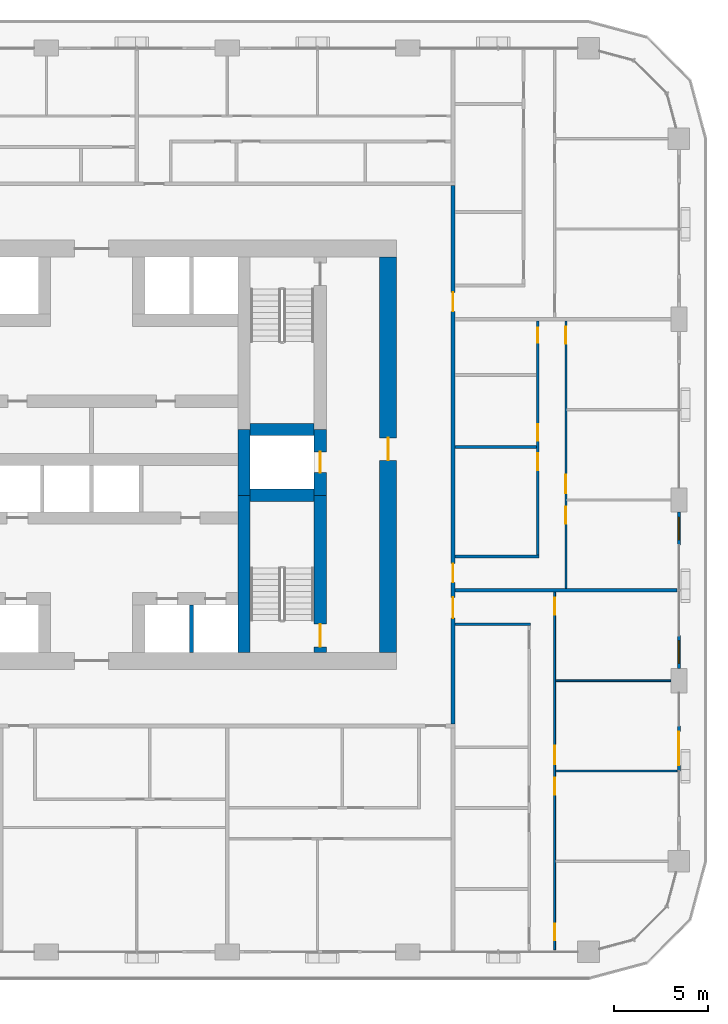
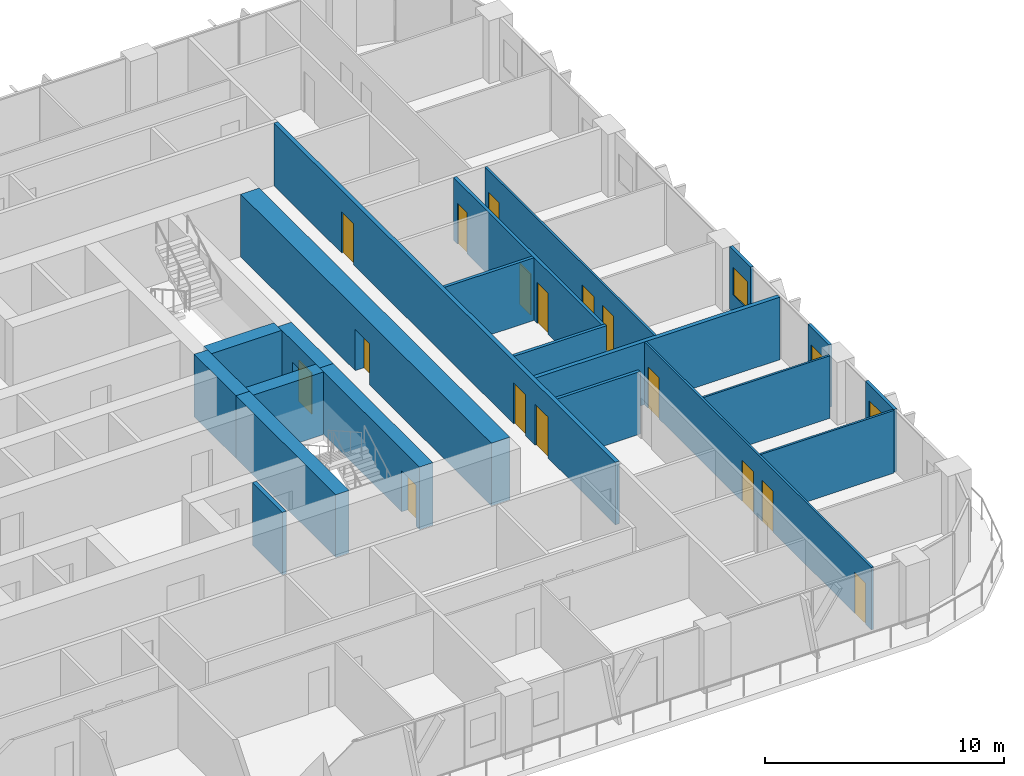
# One storey, part 12 of 22: 21 walls, 17 doors, 2 windows, 19 openings.
"""IFC4 building model written with IfcOpenShell, lengths in metres."""

from ifc_helpers import new_model, si_unit, direction, frame, frame_2d, origin, place, context, subcontext, project, spatial, rectangle, extrude, material, layer, layer_set, type_object, element, fill, save


model = new_model("IFC4")

# Units and contexts
model_context = context("Model", 3, precision=1e-05, world=origin(), true_north=direction((0.0, 1.0)))
body_context = subcontext(model_context, "Body", "Model", "MODEL_VIEW")
ifc_project = project(units=[si_unit("LENGTHUNIT", "METRE"), si_unit("AREAUNIT", "SQUARE_METRE"), si_unit("VOLUMEUNIT", "CUBIC_METRE"), si_unit("PLANEANGLEUNIT", "RADIAN"), si_unit("MASSUNIT", "GRAM", prefix="KILO")], contexts=[model_context])

# Site, building, storey
site_placement = place(None, origin())
site = spatial("IfcSite", under=ifc_project, at=site_placement, CompositionType="ELEMENT")
building_placement = place(site_placement, origin())
building = spatial("IfcBuilding", under=site, at=building_placement, Name="Madar Terraces", CompositionType="ELEMENT")
storey_placement = place(building_placement, frame((0.0, 0.0, 73.300048828125)))
storey = spatial("IfcBuildingStorey", under=building, at=storey_placement, Name="L18", CompositionType="ELEMENT", Elevation=73.300048828125)

# Walls
ifc_material_1 = material(Name="Concrete C80/95", Category="concrete")
ifc_layer_1 = layer(ifc_material_1, 0.64990234375)
ifc_layer_set_1 = layer_set([ifc_layer_1], Name="Concrete C80/95 (CIW2 RC wall 650)")
wall_type_1 = type_object("IfcWallType", Name="CIW2 RC wall 650", PredefinedType="SHEAR", material=ifc_layer_set_1)
wall_1_placement = place(storey_placement, frame((39.300048828125, 15.89990234375, 0.0), z_axis=(0.0, 0.0, 1.0), x_axis=(0.0, 1.0, 0.0)))
element("IfcWall", 1, at=wall_1_placement, inside=storey, type_object=wall_type_1, Name="CORE SHAFT WALL", PredefinedType="SHEAR", context=body_context, shape_type="SweptSolid", body=[
    extrude(rectangle(XDim=8.35009765625, YDim=0.64990234375, at=frame_2d((4.175048828125, 0.0))), origin(), (0.0, 0.0, 1.0), 3.199951171875),
])
wall_2_placement = place(storey_placement, frame((39.300048828125, 24.25, 0.0), z_axis=(0.0, 0.0, 1.0), x_axis=(0.0, 1.0, 0.0)))
element("IfcWall", 2, at=wall_2_placement, inside=storey, type_object=wall_type_1, Name="CORE SHAFT WALL", PredefinedType="SHEAR", context=body_context, shape_type="SweptSolid", body=[
    extrude(rectangle(XDim=3.5, YDim=0.64990234375, at=frame_2d((1.75, 0.0))), origin(), (0.0, 0.0, 1.0), 3.199951171875),
])

# Wall, opening, door
wall_3_placement = place(storey_placement, frame((43.35009765625, 15.89990234375, 0.0), z_axis=(0.0, 0.0, 1.0), x_axis=(0.0, 1.0, 0.0)))
wall_3 = element("IfcWall", 3, at=wall_3_placement, inside=storey, type_object=wall_type_1, Name="CORE SHAFT WALL", PredefinedType="SHEAR", context=body_context, shape_type="SweptSolid", body=[
    extrude(rectangle(XDim=8.35009765625, YDim=0.64990234375, at=frame_2d((4.175048828125, 0.0))), origin(), (0.0, 0.0, 1.0), 3.199951171875),
])
opening_1_placement = place(wall_3_placement, frame((0.300048828125, 0.0, 0.0)))
opening_1 = element("IfcOpeningElement", 4, at=opening_1_placement, cuts=wall_3, Name="Opening SD1", PredefinedType="OPENING", context=body_context, shape_type="SweptSolid", body=[
    extrude(rectangle(XDim=1.199951171875, YDim=2.10009765625, at=frame_2d((0.60009765625, 1.050048828125))), frame((0.0, 0.3349609375, 0.0), z_axis=(0.0, -1.0, 0.0), x_axis=(1.0, 0.0, 0.0)), (0.0, 0.0, 1.0), 0.669921875),
])
ifc_material_2 = material(Name="Steel door leaf", Category="steel")
door_type_1 = type_object("IfcDoorType", Name="Stair door 1200 x 2100", OperationType="NOTDEFINED", PredefinedType="DOOR", material=ifc_material_2)
door_1_placement = place(opening_1_placement, origin())
door_1 = element("IfcDoor", 5, at=door_1_placement, inside=storey, type_object=door_type_1, Name="STAIR DOOR", OperationType="SINGLE_SWING_LEFT", OverallHeight=2.10009765625, OverallWidth=1.199951171875, PredefinedType="DOOR", context=body_context, shape_type="SweptSolid", body=[
    extrude(rectangle(XDim=1.199951171875, YDim=2.10009765625, at=frame_2d((0.60009765625, 1.050048828125))), frame((0.0, 0.02490234375, 0.0), z_axis=(0.0, -1.0, 0.0), x_axis=(1.0, 0.0, 0.0)), (0.0, 0.0, 1.0), 0.050048828125),
])
fill(opening_1, door_1)

wall_4_placement = place(storey_placement, frame((43.35009765625, 24.25, 0.0), z_axis=(0.0, 0.0, 1.0), x_axis=(0.0, 1.0, 0.0)))
wall_4 = element("IfcWall", 6, at=wall_4_placement, inside=storey, type_object=wall_type_1, Name="CORE SHAFT WALL", PredefinedType="SHEAR", context=body_context, shape_type="SweptSolid", body=[
    extrude(rectangle(XDim=3.5, YDim=0.64990234375, at=frame_2d((1.75, 0.0))), origin(), (0.0, 0.0, 1.0), 3.199951171875),
])
opening_2_placement = place(wall_4_placement, frame((1.199951171875, 0.0, 0.0)))
opening_2 = element("IfcOpeningElement", 7, at=opening_2_placement, cuts=wall_4, Name="Opening LD", PredefinedType="OPENING", context=body_context, shape_type="SweptSolid", body=[
    extrude(rectangle(XDim=1.10009765625, YDim=2.10009765625, at=frame_2d((0.550048828125, 1.050048828125))), frame((0.0, 0.3349609375, 0.0), z_axis=(0.0, -1.0, 0.0), x_axis=(1.0, 0.0, 0.0)), (0.0, 0.0, 1.0), 0.669921875),
])
ifc_material_3 = material(Name="Stainless steel panel", Category="steel")
door_type_2 = type_object("IfcDoorType", Name="Lift landing door 1100 x 2100", OperationType="DOUBLE_DOOR_SLIDING", PredefinedType="DOOR", material=ifc_material_3)
door_2_placement = place(opening_2_placement, origin())
door_2 = element("IfcDoor", 8, at=door_2_placement, inside=storey, type_object=door_type_2, Name="LIFT LANDING DOOR", OperationType="DOUBLE_DOOR_SLIDING", OverallHeight=2.10009765625, OverallWidth=1.10009765625, PredefinedType="DOOR", context=body_context, shape_type="SweptSolid", body=[
    extrude(rectangle(XDim=1.10009765625, YDim=2.10009765625, at=frame_2d((0.550048828125, 1.050048828125))), frame((0.0, 0.02490234375, 0.0), z_axis=(0.0, -1.0, 0.0), x_axis=(1.0, 0.0, 0.0)), (0.0, 0.0, 1.0), 0.050048828125),
])
fill(opening_2, door_2)

# Walls
for number, where, z_axis, x_axis, name in (
    (9, (39.625, 24.25, 0.0), (0.0, 0.0, 1.0), (1.0, 0.0, 0.0), "CORE SHAFT WALL"),
    (10, (39.625, 27.75, 0.0), (0.0, 0.0, 1.0), (1.0, 0.0, 0.0), "CORE SHAFT WALL"),
):
    element("IfcWall", number, at=place(storey_placement, frame(where, z_axis=z_axis, x_axis=x_axis)), inside=storey, type_object=wall_type_1, Name=name, PredefinedType="SHEAR", context=body_context, shape_type="SweptSolid", body=[
        extrude(rectangle(XDim=3.39990234375, YDim=0.64990234375, at=frame_2d((1.699951171875, 0.0))), origin(), (0.0, 0.0, 1.0), 3.199951171875),
    ])

# Wall, opening, door
ifc_material_4 = material(Name="Concrete C80/95", Category="concrete")
ifc_layer_2 = layer(ifc_material_4, 0.89990234375)
ifc_layer_set_2 = layer_set([ifc_layer_2], Name="Concrete C80/95 (CRW2 RC wall 900)")
wall_type_2 = type_object("IfcWallType", Name="CRW2 RC wall 900", PredefinedType="SHEAR", material=ifc_layer_set_2)
wall_5_placement = place(storey_placement, frame((46.949951171875, 15.89990234375, 0.0), z_axis=(0.0, 0.0, 1.0), x_axis=(0.0, 1.0, 0.0)))
wall_5 = element("IfcWall", 11, at=wall_5_placement, inside=storey, type_object=wall_type_2, Name="CORE OUTER WALL", PredefinedType="SHEAR", context=body_context, shape_type="SweptSolid", body=[
    extrude(rectangle(XDim=21.0, YDim=0.89990234375, at=frame_2d((10.5, 0.0))), origin(), (0.0, 0.0, 1.0), 3.199951171875),
])
opening_3_placement = place(wall_5_placement, frame((10.199951171875, 0.0, 0.0)))
opening_3 = element("IfcOpeningElement", 12, at=opening_3_placement, cuts=wall_5, Name="Opening SD1", PredefinedType="OPENING", context=body_context, shape_type="SweptSolid", body=[
    extrude(rectangle(XDim=1.199951171875, YDim=2.10009765625, at=frame_2d((0.60009765625, 1.050048828125))), frame((0.0, 0.4599609375, 0.0), z_axis=(0.0, -1.0, 0.0), x_axis=(1.0, 0.0, 0.0)), (0.0, 0.0, 1.0), 0.919921875),
])
door_3_placement = place(opening_3_placement, origin())
door_3 = element("IfcDoor", 13, at=door_3_placement, inside=storey, type_object=door_type_1, Name="STAIR DOOR", OperationType="SINGLE_SWING_RIGHT", OverallHeight=2.10009765625, OverallWidth=1.199951171875, PredefinedType="DOOR", context=body_context, shape_type="SweptSolid", body=[
    extrude(rectangle(XDim=1.199951171875, YDim=2.10009765625, at=frame_2d((0.60009765625, 1.050048828125))), frame((0.0, 0.02490234375, 0.0), z_axis=(0.0, -1.0, 0.0), x_axis=(1.0, 0.0, 0.0)), (0.0, 0.0, 1.0), 0.050048828125),
])
fill(opening_3, door_3)

# Wall
ifc_material_5 = material(Name="Concrete C40/50", Category="concrete")
ifc_layer_3 = layer(ifc_material_5, 0.199951171875)
ifc_layer_set_3 = layer_set([ifc_layer_3], Name="Core shaft dividing wall 200 C40/50")
wall_type_3 = type_object("IfcWallType", Name="Core shaft dividing wall 200 C40/50", PredefinedType="SOLIDWALL", material=ifc_layer_set_3)
wall_6_placement = place(storey_placement, frame((36.5, 15.89990234375, 0.0), z_axis=(0.0, 0.0, 1.0), x_axis=(0.0, 1.0, 0.0)))
element("IfcWall", 14, at=wall_6_placement, inside=storey, type_object=wall_type_3, Name="SHAFT DIVIDING WALL", PredefinedType="SOLIDWALL", context=body_context, shape_type="SweptSolid", body=[
    extrude(rectangle(XDim=2.525146484375, YDim=0.199951171875, at=frame_2d((1.2626953125, 0.0))), origin(), (0.0, 0.0, 1.0), 3.199951171875),
])

# Wall, opening, door
ifc_material_6 = material(Name="Aluminium composite panel, black, over insulated backing", Category="aluminium")
ifc_layer_4 = layer(ifc_material_6, 0.14990234375)
ifc_layer_set_4 = layer_set([ifc_layer_4], Name="Facade bay panel 150")
wall_type_4 = type_object("IfcWallType", Name="Facade bay panel 150", PredefinedType="SOLIDWALL", material=ifc_layer_set_4)
wall_7_placement = place(storey_placement, frame((62.39990234375, 9.60009765625, 0.0), z_axis=(0.0, 0.0, 1.0), x_axis=(0.0, 1.0, 0.0)))
wall_7 = element("IfcWall", 15, at=wall_7_placement, inside=storey, type_object=wall_type_4, Name="Facade bay panel", PredefinedType="SOLIDWALL", context=body_context, shape_type="SweptSolid", body=[
    extrude(rectangle(XDim=2.39990234375, YDim=0.14990234375, at=frame_2d((1.199951171875, 0.0))), origin(), (0.0, 0.0, 1.0), 3.199951171875),
])
opening_4_placement = place(wall_7_placement, frame((0.300048828125, 0.0, 0.0)))
opening_4 = element("IfcOpeningElement", 16, at=opening_4_placement, cuts=wall_7, Name="Opening ED1", PredefinedType="OPENING", context=body_context, shape_type="SweptSolid", body=[
    extrude(rectangle(XDim=1.800048828125, YDim=2.39990234375, at=frame_2d((0.89990234375, 1.199951171875))), frame((0.0, 0.0849609375, 0.0), z_axis=(0.0, -1.0, 0.0), x_axis=(1.0, 0.0, 0.0)), (0.0, 0.0, 1.0), 0.169921875),
])
ifc_material_7 = material(Name="Glass, clear, with black aluminium frame", Category="aluminium")
door_type_3 = type_object("IfcDoorType", Name="Balcony and terrace sliding door 1800 x 2400", OperationType="SLIDING_TO_LEFT", PredefinedType="DOOR", material=ifc_material_7)
door_4_placement = place(opening_4_placement, origin())
door_4 = element("IfcDoor", 17, at=door_4_placement, inside=storey, type_object=door_type_3, Name="Balcony door", OperationType="SLIDING_TO_LEFT", OverallHeight=2.39990234375, OverallWidth=1.800048828125, PredefinedType="DOOR", context=body_context, shape_type="SweptSolid", body=[
    extrude(rectangle(XDim=1.800048828125, YDim=2.39990234375, at=frame_2d((0.89990234375, 1.199951171875))), frame((0.0, 0.02490234375, 0.0), z_axis=(0.0, -1.0, 0.0), x_axis=(1.0, 0.0, 0.0)), (0.0, 0.0, 1.0), 0.050048828125),
])
fill(opening_4, door_4)

# Wall, opening, window
wall_8_placement = place(storey_placement, frame((62.39990234375, 15.050048828125, 0.0), z_axis=(0.0, 0.0, 1.0), x_axis=(0.0, 1.0, 0.0)))
wall_8 = element("IfcWall", 18, at=wall_8_placement, inside=storey, type_object=wall_type_4, Name="Facade bay panel", PredefinedType="SOLIDWALL", context=body_context, shape_type="SweptSolid", body=[
    extrude(rectangle(XDim=1.75, YDim=0.14990234375, at=frame_2d((0.875, 0.0))), origin(), (0.0, 0.0, 1.0), 3.199951171875),
])
opening_5_placement = place(wall_8_placement, frame((0.27490234375, 0.0, 0.89990234375)))
opening_5 = element("IfcOpeningElement", 19, at=opening_5_placement, cuts=wall_8, Name="Opening W1", PredefinedType="OPENING", context=body_context, shape_type="SweptSolid", body=[
    extrude(rectangle(XDim=1.199951171875, YDim=1.39990234375, at=frame_2d((0.60009765625, 0.699951171875))), frame((0.0, 0.0849609375, 0.0), z_axis=(0.0, -1.0, 0.0), x_axis=(1.0, 0.0, 0.0)), (0.0, 0.0, 1.0), 0.169921875),
])
ifc_material_8 = material(Name="Glass, clear, with black aluminium frame", Category="aluminium")
window_type = type_object("IfcWindowType", Name="Vent window 1200 x 1400", PartitioningType="SINGLE_PANEL", PredefinedType="WINDOW", material=ifc_material_8)
window_1_placement = place(opening_5_placement, origin())
window_1 = element("IfcWindow", 20, at=window_1_placement, inside=storey, type_object=window_type, Name="Operable vent window", OverallHeight=1.39990234375, OverallWidth=1.199951171875, PartitioningType="SINGLE_PANEL", PredefinedType="WINDOW", context=body_context, shape_type="SweptSolid", body=[
    extrude(rectangle(XDim=1.199951171875, YDim=1.39990234375, at=frame_2d((0.60009765625, 0.699951171875))), frame((0.0, 0.030029296875, 0.0), z_axis=(0.0, -1.0, 0.0), x_axis=(1.0, 0.0, 0.0)), (0.0, 0.0, 1.0), 0.06005859375),
])
fill(opening_5, window_1)

wall_9_placement = place(storey_placement, frame((62.39990234375, 21.60009765625, 0.0), z_axis=(0.0, 0.0, 1.0), x_axis=(0.0, 1.0, 0.0)))
wall_9 = element("IfcWall", 21, at=wall_9_placement, inside=storey, type_object=wall_type_4, Name="Facade bay panel", PredefinedType="SOLIDWALL", context=body_context, shape_type="SweptSolid", body=[
    extrude(rectangle(XDim=1.75, YDim=0.14990234375, at=frame_2d((0.875, 0.0))), origin(), (0.0, 0.0, 1.0), 3.199951171875),
])
opening_6_placement = place(wall_9_placement, frame((0.27490234375, 0.0, 0.89990234375)))
opening_6 = element("IfcOpeningElement", 22, at=opening_6_placement, cuts=wall_9, Name="Opening W1", PredefinedType="OPENING", context=body_context, shape_type="SweptSolid", body=[
    extrude(rectangle(XDim=1.199951171875, YDim=1.39990234375, at=frame_2d((0.60009765625, 0.699951171875))), frame((0.0, 0.0849609375, 0.0), z_axis=(0.0, -1.0, 0.0), x_axis=(1.0, 0.0, 0.0)), (0.0, 0.0, 1.0), 0.169921875),
])
window_2_placement = place(opening_6_placement, origin())
window_2 = element("IfcWindow", 23, at=window_2_placement, inside=storey, type_object=window_type, Name="Operable vent window", OverallHeight=1.39990234375, OverallWidth=1.199951171875, PartitioningType="SINGLE_PANEL", PredefinedType="WINDOW", context=body_context, shape_type="SweptSolid", body=[
    extrude(rectangle(XDim=1.199951171875, YDim=1.39990234375, at=frame_2d((0.60009765625, 0.699951171875))), frame((0.0, 0.030029296875, 0.0), z_axis=(0.0, -1.0, 0.0), x_axis=(1.0, 0.0, 0.0)), (0.0, 0.0, 1.0), 0.06005859375),
])
fill(opening_6, window_2)

# Walls
ifc_material_9 = material(Name="Gypsum board on steel studs", Category="steel")
ifc_layer_5 = layer(ifc_material_9, 0.10009765625)
ifc_layer_set_5 = layer_set([ifc_layer_5], Name="Flat partition 100")
wall_type_5 = type_object("IfcWallType", Name="Flat partition 100", PredefinedType="PARTITIONING", material=ifc_layer_set_5)
wall_10_placement = place(storey_placement, frame((55.85009765625, 14.39990234375, 0.0), z_axis=(0.0, 0.0, 1.0), x_axis=(1.0, 0.0, 0.0)))
element("IfcWall", 24, at=wall_10_placement, inside=storey, type_object=wall_type_5, Name="Flat partition 100", PredefinedType="PARTITIONING", context=body_context, shape_type="SweptSolid", body=[
    extrude(rectangle(XDim=6.125, YDim=0.10009765625, at=frame_2d((3.0625, 0.0))), origin(), (0.0, 0.0, 1.0), 3.199951171875),
])
wall_11_placement = place(storey_placement, frame((55.85009765625, 9.60009765625, 0.0), z_axis=(0.0, 0.0, 1.0), x_axis=(1.0, 0.0, 0.0)))
element("IfcWall", 25, at=wall_11_placement, inside=storey, type_object=wall_type_5, Name="Flat partition 100", PredefinedType="PARTITIONING", context=body_context, shape_type="SweptSolid", body=[
    extrude(rectangle(XDim=6.449951171875, YDim=0.10009765625, at=frame_2d((3.22509765625, 0.0))), origin(), (0.0, 0.0, 1.0), 3.199951171875),
])

# Wall, openings, doors
wall_12_placement = place(storey_placement, frame((55.800048828125, 19.10009765625, 0.0), z_axis=(0.0, 0.0, 1.0), x_axis=(0.0, -1.0, 0.0)))
wall_12 = element("IfcWall", 26, at=wall_12_placement, inside=storey, type_object=wall_type_5, Name="Flat partition 100", PredefinedType="PARTITIONING", context=body_context, shape_type="SweptSolid", body=[
    extrude(rectangle(XDim=19.0, YDim=0.10009765625, at=frame_2d((9.5, 0.0))), origin(), (0.0, 0.0, 1.0), 3.199951171875),
])
opening_7_placement = place(wall_12_placement, frame((0.300048828125, 0.0, 0.0)))
opening_7 = element("IfcOpeningElement", 27, at=opening_7_placement, cuts=wall_12, Name="Opening D2", PredefinedType="OPENING", context=body_context, shape_type="SweptSolid", body=[
    extrude(rectangle(XDim=0.89990234375, YDim=2.10009765625, at=frame_2d((0.449951171875, 1.050048828125))), frame((0.0, 0.06005859375, 0.0), z_axis=(0.0, -1.0, 0.0), x_axis=(1.0, 0.0, 0.0)), (0.0, 0.0, 1.0), 0.1201171875),
])
opening_8_placement = place(wall_12_placement, frame((8.14990234375, 0.0, 0.0)))
opening_8 = element("IfcOpeningElement", 28, at=opening_8_placement, cuts=wall_12, Name="Opening D3", PredefinedType="OPENING", context=body_context, shape_type="SweptSolid", body=[
    extrude(rectangle(XDim=1.0, YDim=2.10009765625, at=frame_2d((0.5, 1.050048828125))), frame((0.0, 0.06005859375, 0.0), z_axis=(0.0, -1.0, 0.0), x_axis=(1.0, 0.0, 0.0)), (0.0, 0.0, 1.0), 0.1201171875),
])
opening_9_placement = place(wall_12_placement, frame((9.85009765625, 0.0, 0.0)))
opening_9 = element("IfcOpeningElement", 29, at=opening_9_placement, cuts=wall_12, Name="Opening D2", PredefinedType="OPENING", context=body_context, shape_type="SweptSolid", body=[
    extrude(rectangle(XDim=0.89990234375, YDim=2.10009765625, at=frame_2d((0.449951171875, 1.050048828125))), frame((0.0, 0.06005859375, 0.0), z_axis=(0.0, -1.0, 0.0), x_axis=(1.0, 0.0, 0.0)), (0.0, 0.0, 1.0), 0.1201171875),
])
opening_10_placement = place(wall_12_placement, frame((17.60009765625, 0.0, 0.0)))
opening_10 = element("IfcOpeningElement", 30, at=opening_10_placement, cuts=wall_12, Name="Opening D2", PredefinedType="OPENING", context=body_context, shape_type="SweptSolid", body=[
    extrude(rectangle(XDim=0.89990234375, YDim=2.10009765625, at=frame_2d((0.449951171875, 1.050048828125))), frame((0.0, 0.06005859375, 0.0), z_axis=(0.0, -1.0, 0.0), x_axis=(1.0, 0.0, 0.0)), (0.0, 0.0, 1.0), 0.1201171875),
])
ifc_material_10 = material(Name="Timber door leaf", Category="wood")
door_type_4 = type_object("IfcDoorType", Name="Flat living room door 1000", OperationType="NOTDEFINED", PredefinedType="DOOR", material=ifc_material_10)
door_5_placement = place(opening_8_placement, origin())
door_5 = element("IfcDoor", 31, at=door_5_placement, inside=storey, type_object=door_type_4, Name="Flat living room door 1000", OperationType="SINGLE_SWING_RIGHT", OverallHeight=2.10009765625, OverallWidth=1.0, PredefinedType="DOOR", context=body_context, shape_type="SweptSolid", body=[
    extrude(rectangle(XDim=1.0, YDim=2.10009765625, at=frame_2d((0.5, 1.050048828125))), frame((0.0, 0.02490234375, 0.0), z_axis=(0.0, -1.0, 0.0), x_axis=(1.0, 0.0, 0.0)), (0.0, 0.0, 1.0), 0.050048828125),
])
fill(opening_8, door_5)
ifc_material_11 = material(Name="Timber door leaf", Category="wood")
door_type_5 = type_object("IfcDoorType", Name="Flat room door 900", OperationType="NOTDEFINED", PredefinedType="DOOR", material=ifc_material_11)
door_6_placement = place(opening_7_placement, origin())
door_6 = element("IfcDoor", 32, at=door_6_placement, inside=storey, type_object=door_type_5, Name="Flat room door 900", OperationType="SINGLE_SWING_LEFT", OverallHeight=2.10009765625, OverallWidth=0.89990234375, PredefinedType="DOOR", context=body_context, shape_type="SweptSolid", body=[
    extrude(rectangle(XDim=0.89990234375, YDim=2.10009765625, at=frame_2d((0.449951171875, 1.050048828125))), frame((0.0, 0.02490234375, 0.0), z_axis=(0.0, -1.0, 0.0), x_axis=(1.0, 0.0, 0.0)), (0.0, 0.0, 1.0), 0.050048828125),
])
fill(opening_7, door_6)
door_7_placement = place(opening_9_placement, origin())
door_7 = element("IfcDoor", 33, at=door_7_placement, inside=storey, type_object=door_type_5, Name="Flat room door 900", OperationType="SINGLE_SWING_LEFT", OverallHeight=2.10009765625, OverallWidth=0.89990234375, PredefinedType="DOOR", context=body_context, shape_type="SweptSolid", body=[
    extrude(rectangle(XDim=0.89990234375, YDim=2.10009765625, at=frame_2d((0.449951171875, 1.050048828125))), frame((0.0, 0.02490234375, 0.0), z_axis=(0.0, -1.0, 0.0), x_axis=(1.0, 0.0, 0.0)), (0.0, 0.0, 1.0), 0.050048828125),
])
fill(opening_9, door_7)
door_8_placement = place(opening_10_placement, origin())
door_8 = element("IfcDoor", 34, at=door_8_placement, inside=storey, type_object=door_type_5, Name="Flat room door 900", OperationType="SINGLE_SWING_RIGHT", OverallHeight=2.10009765625, OverallWidth=0.89990234375, PredefinedType="DOOR", context=body_context, shape_type="SweptSolid", body=[
    extrude(rectangle(XDim=0.89990234375, YDim=2.10009765625, at=frame_2d((0.449951171875, 1.050048828125))), frame((0.0, 0.02490234375, 0.0), z_axis=(0.0, -1.0, 0.0), x_axis=(1.0, 0.0, 0.0)), (0.0, 0.0, 1.0), 0.050048828125),
])
fill(opening_10, door_8)

wall_13_placement = place(storey_placement, frame((56.39990234375, 33.5, 0.0), z_axis=(0.0, 0.0, 1.0), x_axis=(0.0, -1.0, 0.0)))
wall_13 = element("IfcWall", 35, at=wall_13_placement, inside=storey, type_object=wall_type_5, Name="Flat partition 100", PredefinedType="PARTITIONING", context=body_context, shape_type="SweptSolid", body=[
    extrude(rectangle(XDim=14.199951171875, YDim=0.10009765625, at=frame_2d((7.10009765625, 0.0))), origin(), (0.0, 0.0, 1.0), 3.199951171875),
])
opening_11_placement = place(wall_13_placement, frame((9.85009765625, 0.0, 0.0)))
opening_11 = element("IfcOpeningElement", 36, at=opening_11_placement, cuts=wall_13, Name="Opening D2", PredefinedType="OPENING", context=body_context, shape_type="SweptSolid", body=[
    extrude(rectangle(XDim=0.89990234375, YDim=2.10009765625, at=frame_2d((0.449951171875, 1.050048828125))), frame((0.0, 0.06005859375, 0.0), z_axis=(0.0, -1.0, 0.0), x_axis=(1.0, 0.0, 0.0)), (0.0, 0.0, 1.0), 0.1201171875),
])
opening_12_placement = place(wall_13_placement, frame((8.14990234375, 0.0, 0.0)))
opening_12 = element("IfcOpeningElement", 37, at=opening_12_placement, cuts=wall_13, Name="Opening D3", PredefinedType="OPENING", context=body_context, shape_type="SweptSolid", body=[
    extrude(rectangle(XDim=1.0, YDim=2.10009765625, at=frame_2d((0.5, 1.050048828125))), frame((0.0, 0.06005859375, 0.0), z_axis=(0.0, -1.0, 0.0), x_axis=(1.0, 0.0, 0.0)), (0.0, 0.0, 1.0), 0.1201171875),
])
opening_13_placement = place(wall_13_placement, frame((0.300048828125, 0.0, 0.0)))
opening_13 = element("IfcOpeningElement", 38, at=opening_13_placement, cuts=wall_13, Name="Opening D2", PredefinedType="OPENING", context=body_context, shape_type="SweptSolid", body=[
    extrude(rectangle(XDim=0.89990234375, YDim=2.10009765625, at=frame_2d((0.449951171875, 1.050048828125))), frame((0.0, 0.06005859375, 0.0), z_axis=(0.0, -1.0, 0.0), x_axis=(1.0, 0.0, 0.0)), (0.0, 0.0, 1.0), 0.1201171875),
])
door_9_placement = place(opening_12_placement, origin())
door_9 = element("IfcDoor", 39, at=door_9_placement, inside=storey, type_object=door_type_4, Name="Flat living room door 1000", OperationType="SINGLE_SWING_RIGHT", OverallHeight=2.10009765625, OverallWidth=1.0, PredefinedType="DOOR", context=body_context, shape_type="SweptSolid", body=[
    extrude(rectangle(XDim=1.0, YDim=2.10009765625, at=frame_2d((0.5, 1.050048828125))), frame((0.0, 0.02490234375, 0.0), z_axis=(0.0, -1.0, 0.0), x_axis=(1.0, 0.0, 0.0)), (0.0, 0.0, 1.0), 0.050048828125),
])
fill(opening_12, door_9)
door_10_placement = place(opening_11_placement, origin())
door_10 = element("IfcDoor", 40, at=door_10_placement, inside=storey, type_object=door_type_5, Name="Flat room door 900", OperationType="SINGLE_SWING_LEFT", OverallHeight=2.10009765625, OverallWidth=0.89990234375, PredefinedType="DOOR", context=body_context, shape_type="SweptSolid", body=[
    extrude(rectangle(XDim=0.89990234375, YDim=2.10009765625, at=frame_2d((0.449951171875, 1.050048828125))), frame((0.0, 0.02490234375, 0.0), z_axis=(0.0, -1.0, 0.0), x_axis=(1.0, 0.0, 0.0)), (0.0, 0.0, 1.0), 0.050048828125),
])
fill(opening_11, door_10)
door_11_placement = place(opening_13_placement, origin())
door_11 = element("IfcDoor", 41, at=door_11_placement, inside=storey, type_object=door_type_5, Name="Flat room door 900", OperationType="SINGLE_SWING_LEFT", OverallHeight=2.10009765625, OverallWidth=0.89990234375, PredefinedType="DOOR", context=body_context, shape_type="SweptSolid", body=[
    extrude(rectangle(XDim=0.89990234375, YDim=2.10009765625, at=frame_2d((0.449951171875, 1.050048828125))), frame((0.0, 0.02490234375, 0.0), z_axis=(0.0, -1.0, 0.0), x_axis=(1.0, 0.0, 0.0)), (0.0, 0.0, 1.0), 0.050048828125),
])
fill(opening_13, door_11)

ifc_material_12 = material(Name="Lightweight blockwork", Category="masonry")
ifc_layer_6 = layer(ifc_material_12, 0.199951171875)
ifc_layer_set_6 = layer_set([ifc_layer_6], Name="Flat party and entrance wall 200")
wall_type_6 = type_object("IfcWallType", Name="Flat party and entrance wall 200", PredefinedType="PARTITIONING", material=ifc_layer_set_6)
wall_14_placement = place(storey_placement, frame((50.39990234375, 40.699951171875, 0.0), z_axis=(0.0, 0.0, 1.0), x_axis=(0.0, -1.0, 0.0)))
wall_14 = element("IfcWall", 42, at=wall_14_placement, inside=storey, type_object=wall_type_6, Name="Flat party and entrance wall 200", PredefinedType="PARTITIONING", context=body_context, shape_type="SweptSolid", body=[
    extrude(rectangle(XDim=28.599853515625, YDim=0.199951171875, at=frame_2d((14.2998046875, 0.0))), origin(), (0.0, 0.0, 1.0), 3.199951171875),
])
opening_14_placement = place(wall_14_placement, frame((21.875, 0.0, 0.0)))
opening_14 = element("IfcOpeningElement", 43, at=opening_14_placement, cuts=wall_14, Name="Opening D6", PredefinedType="OPENING", context=body_context, shape_type="SweptSolid", body=[
    extrude(rectangle(XDim=1.10009765625, YDim=2.10009765625, at=frame_2d((0.550048828125, 1.050048828125))), frame((0.0, 0.10986328125, 0.0), z_axis=(0.0, -1.0, 0.0), x_axis=(1.0, 0.0, 0.0)), (0.0, 0.0, 1.0), 0.219970703125),
])
opening_15_placement = place(wall_14_placement, frame((20.074951171875, 0.0, 0.0)))
opening_15 = element("IfcOpeningElement", 44, at=opening_15_placement, cuts=wall_14, Name="Opening D1", PredefinedType="OPENING", context=body_context, shape_type="SweptSolid", body=[
    extrude(rectangle(XDim=1.0, YDim=2.10009765625, at=frame_2d((0.5, 1.050048828125))), frame((0.0, 0.10986328125, 0.0), z_axis=(0.0, -1.0, 0.0), x_axis=(1.0, 0.0, 0.0)), (0.0, 0.0, 1.0), 0.219970703125),
])
opening_16_placement = place(wall_14_placement, frame((5.675048828125, 0.0, 0.0)))
opening_16 = element("IfcOpeningElement", 45, at=opening_16_placement, cuts=wall_14, Name="Opening D1", PredefinedType="OPENING", context=body_context, shape_type="SweptSolid", body=[
    extrude(rectangle(XDim=1.0, YDim=2.10009765625, at=frame_2d((0.5, 1.050048828125))), frame((0.0, 0.10986328125, 0.0), z_axis=(0.0, -1.0, 0.0), x_axis=(1.0, 0.0, 0.0)), (0.0, 0.0, 1.0), 0.219970703125),
])
ifc_material_13 = material(Name="Timber fire door leaf", Category="wood")
door_type_6 = type_object("IfcDoorType", Name="Flat entrance door 1000 FD30S", OperationType="NOTDEFINED", PredefinedType="DOOR", material=ifc_material_13)
door_12_placement = place(opening_15_placement, origin())
door_12 = element("IfcDoor", 46, at=door_12_placement, inside=storey, type_object=door_type_6, Name="Flat entrance door 1000 FD30S", OperationType="SINGLE_SWING_RIGHT", OverallHeight=2.10009765625, OverallWidth=1.0, PredefinedType="DOOR", context=body_context, shape_type="SweptSolid", body=[
    extrude(rectangle(XDim=1.0, YDim=2.10009765625, at=frame_2d((0.5, 1.050048828125))), frame((0.0, 0.02490234375, 0.0), z_axis=(0.0, -1.0, 0.0), x_axis=(1.0, 0.0, 0.0)), (0.0, 0.0, 1.0), 0.050048828125),
])
fill(opening_15, door_12)
door_13_placement = place(opening_16_placement, origin())
door_13 = element("IfcDoor", 47, at=door_13_placement, inside=storey, type_object=door_type_6, Name="Flat entrance door 1000 FD30S", OperationType="SINGLE_SWING_RIGHT", OverallHeight=2.10009765625, OverallWidth=1.0, PredefinedType="DOOR", context=body_context, shape_type="SweptSolid", body=[
    extrude(rectangle(XDim=1.0, YDim=2.10009765625, at=frame_2d((0.5, 1.050048828125))), frame((0.0, 0.02490234375, 0.0), z_axis=(0.0, -1.0, 0.0), x_axis=(1.0, 0.0, 0.0)), (0.0, 0.0, 1.0), 0.050048828125),
])
fill(opening_16, door_13)
ifc_material_14 = material(Name="Timber fire door leaf", Category="wood")
door_type_7 = type_object("IfcDoorType", Name="Flat entrance door 1100 FD30S", OperationType="NOTDEFINED", PredefinedType="DOOR", material=ifc_material_14)
door_14_placement = place(opening_14_placement, origin())
door_14 = element("IfcDoor", 48, at=door_14_placement, inside=storey, type_object=door_type_7, Name="Flat entrance door 1100 FD30S", OperationType="SINGLE_SWING_LEFT", OverallHeight=2.10009765625, OverallWidth=1.10009765625, PredefinedType="DOOR", context=body_context, shape_type="SweptSolid", body=[
    extrude(rectangle(XDim=1.10009765625, YDim=2.10009765625, at=frame_2d((0.550048828125, 1.050048828125))), frame((0.0, 0.02490234375, 0.0), z_axis=(0.0, -1.0, 0.0), x_axis=(1.0, 0.0, 0.0)), (0.0, 0.0, 1.0), 0.050048828125),
])
fill(opening_14, door_14)

# Walls
wall_15_placement = place(storey_placement, frame((50.5, 19.199951171875, 0.0), z_axis=(0.0, 0.0, 1.0), x_axis=(1.0, 0.0, 0.0)))
element("IfcWall", 49, at=wall_15_placement, inside=storey, type_object=wall_type_6, Name="Flat party and entrance wall 200", PredefinedType="PARTITIONING", context=body_context, shape_type="SweptSolid", body=[
    extrude(rectangle(XDim=11.800048828125, YDim=0.199951171875, at=frame_2d((5.89990234375, 0.0))), origin(), (0.0, 0.0, 1.0), 3.199951171875),
])
ifc_material_15 = material(Name="Lightweight blockwork", Category="masonry")
ifc_layer_7 = layer(ifc_material_15, 0.14990234375)
ifc_layer_set_7 = layer_set([ifc_layer_7], Name="Flat wet-room partition 150")
wall_type_7 = type_object("IfcWallType", Name="Flat wet-room partition 150", PredefinedType="PARTITIONING", material=ifc_layer_set_7)
wall_16_placement = place(storey_placement, frame((50.5, 17.39990234375, 0.0), z_axis=(0.0, 0.0, 1.0), x_axis=(1.0, 0.0, 0.0)))
element("IfcWall", 50, at=wall_16_placement, inside=storey, type_object=wall_type_7, Name="Flat wet-room partition 150", PredefinedType="PARTITIONING", context=body_context, shape_type="SweptSolid", body=[
    extrude(rectangle(XDim=4.02490234375, YDim=0.14990234375, at=frame_2d((2.012451171875, 0.0))), origin(), (0.0, 0.0, 1.0), 3.199951171875),
])
wall_17_placement = place(storey_placement, frame((50.5, 26.8095703125, 0.0), z_axis=(0.0, 0.0, 1.0), x_axis=(1.0, 0.0, 0.0)))
element("IfcWall", 51, at=wall_17_placement, inside=storey, type_object=wall_type_7, Name="Flat wet-room partition 150", PredefinedType="PARTITIONING", context=body_context, shape_type="SweptSolid", body=[
    extrude(rectangle(XDim=4.324951171875, YDim=0.14990234375, at=frame_2d((2.16259765625, 0.0))), origin(), (0.0, 0.0, 1.0), 3.199951171875),
])
wall_18_placement = place(storey_placement, frame((50.5, 21.0, 0.0), z_axis=(0.0, 0.0, 1.0), x_axis=(1.0, 0.0, 0.0)))
element("IfcWall", 52, at=wall_18_placement, inside=storey, type_object=wall_type_7, Name="Flat wet-room partition 150", PredefinedType="PARTITIONING", context=body_context, shape_type="SweptSolid", body=[
    extrude(rectangle(XDim=4.47509765625, YDim=0.14990234375, at=frame_2d((2.237548828125, 0.0))), origin(), (0.0, 0.0, 1.0), 3.199951171875),
])

# Wall, openings, doors
wall_19_placement = place(storey_placement, frame((54.89990234375, 21.074951171875, 0.0), z_axis=(0.0, 0.0, 1.0), x_axis=(0.0, 1.0, 0.0)))
wall_19 = element("IfcWall", 53, at=wall_19_placement, inside=storey, type_object=wall_type_7, Name="Flat wet-room partition 150", PredefinedType="PARTITIONING", context=body_context, shape_type="SweptSolid", body=[
    extrude(rectangle(XDim=12.425048828125, YDim=0.14990234375, at=frame_2d((6.21240234375, 0.0))), origin(), (0.0, 0.0, 1.0), 3.199951171875),
])
opening_17_placement = place(wall_19_placement, frame((4.509521484375, 0.0, 0.0)))
opening_17 = element("IfcOpeningElement", 54, at=opening_17_placement, cuts=wall_19, Name="Opening D2", PredefinedType="OPENING", context=body_context, shape_type="SweptSolid", body=[
    extrude(rectangle(XDim=0.89990234375, YDim=2.10009765625, at=frame_2d((0.449951171875, 1.050048828125))), frame((0.0, 0.0849609375, 0.0), z_axis=(0.0, -1.0, 0.0), x_axis=(1.0, 0.0, 0.0)), (0.0, 0.0, 1.0), 0.169921875),
])
opening_18_placement = place(wall_19_placement, frame((6.0595703125, 0.0, 0.0)))
opening_18 = element("IfcOpeningElement", 55, at=opening_18_placement, cuts=wall_19, Name="Opening D5", PredefinedType="OPENING", context=body_context, shape_type="SweptSolid", body=[
    extrude(rectangle(XDim=0.89990234375, YDim=2.10009765625, at=frame_2d((0.449951171875, 1.050048828125))), frame((0.0, 0.0849609375, 0.0), z_axis=(0.0, -1.0, 0.0), x_axis=(1.0, 0.0, 0.0)), (0.0, 0.0, 1.0), 0.169921875),
])
opening_19_placement = place(wall_19_placement, frame((11.27490234375, 0.0, 0.0)))
opening_19 = element("IfcOpeningElement", 56, at=opening_19_placement, cuts=wall_19, Name="Opening D4", PredefinedType="OPENING", context=body_context, shape_type="SweptSolid", body=[
    extrude(rectangle(XDim=0.800048828125, YDim=2.10009765625, at=frame_2d((0.39990234375, 1.050048828125))), frame((0.0, 0.0849609375, 0.0), z_axis=(0.0, -1.0, 0.0), x_axis=(1.0, 0.0, 0.0)), (0.0, 0.0, 1.0), 0.169921875),
])
ifc_material_16 = material(Name="Timber door leaf", Category="wood")
door_type_8 = type_object("IfcDoorType", Name="Flat accessible bathroom door 900", OperationType="NOTDEFINED", PredefinedType="DOOR", material=ifc_material_16)
door_15_placement = place(opening_18_placement, origin())
door_15 = element("IfcDoor", 57, at=door_15_placement, inside=storey, type_object=door_type_8, Name="Flat accessible bathroom door 900", OperationType="SINGLE_SWING_LEFT", OverallHeight=2.10009765625, OverallWidth=0.89990234375, PredefinedType="DOOR", context=body_context, shape_type="SweptSolid", body=[
    extrude(rectangle(XDim=0.89990234375, YDim=2.10009765625, at=frame_2d((0.449951171875, 1.050048828125))), frame((0.0, 0.02490234375, 0.0), z_axis=(0.0, -1.0, 0.0), x_axis=(1.0, 0.0, 0.0)), (0.0, 0.0, 1.0), 0.050048828125),
])
fill(opening_18, door_15)
ifc_material_17 = material(Name="Timber door leaf", Category="wood")
door_type_9 = type_object("IfcDoorType", Name="Flat bathroom door 800", OperationType="NOTDEFINED", PredefinedType="DOOR", material=ifc_material_17)
door_16_placement = place(opening_19_placement, origin())
door_16 = element("IfcDoor", 58, at=door_16_placement, inside=storey, type_object=door_type_9, Name="Flat bathroom door 800", OperationType="SINGLE_SWING_RIGHT", OverallHeight=2.10009765625, OverallWidth=0.800048828125, PredefinedType="DOOR", context=body_context, shape_type="SweptSolid", body=[
    extrude(rectangle(XDim=0.800048828125, YDim=2.10009765625, at=frame_2d((0.39990234375, 1.050048828125))), frame((0.0, 0.02490234375, 0.0), z_axis=(0.0, -1.0, 0.0), x_axis=(1.0, 0.0, 0.0)), (0.0, 0.0, 1.0), 0.050048828125),
])
fill(opening_19, door_16)
door_17_placement = place(opening_17_placement, origin())
door_17 = element("IfcDoor", 59, at=door_17_placement, inside=storey, type_object=door_type_5, Name="Flat room door 900", OperationType="SINGLE_SWING_RIGHT", OverallHeight=2.10009765625, OverallWidth=0.89990234375, PredefinedType="DOOR", context=body_context, shape_type="SweptSolid", body=[
    extrude(rectangle(XDim=0.89990234375, YDim=2.10009765625, at=frame_2d((0.449951171875, 1.050048828125))), frame((0.0, 0.02490234375, 0.0), z_axis=(0.0, -1.0, 0.0), x_axis=(1.0, 0.0, 0.0)), (0.0, 0.0, 1.0), 0.050048828125),
])
fill(opening_17, door_17)

save(model, "model.ifc")
